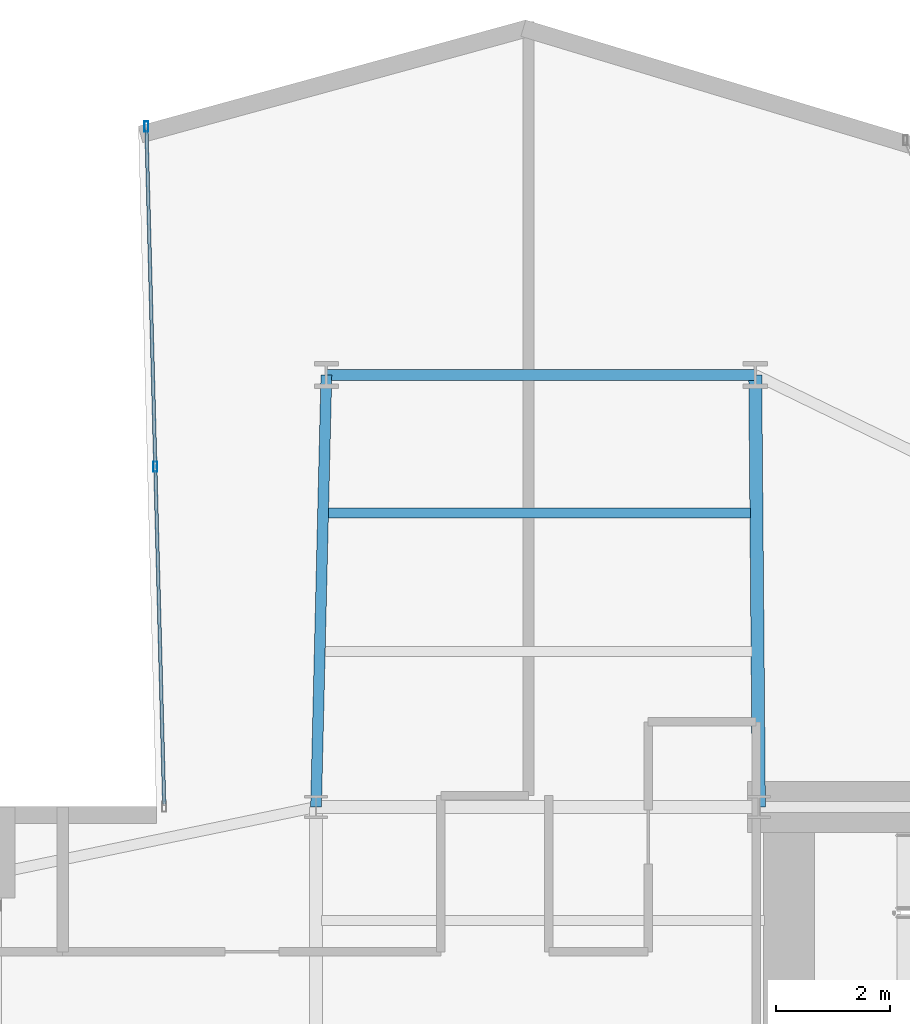
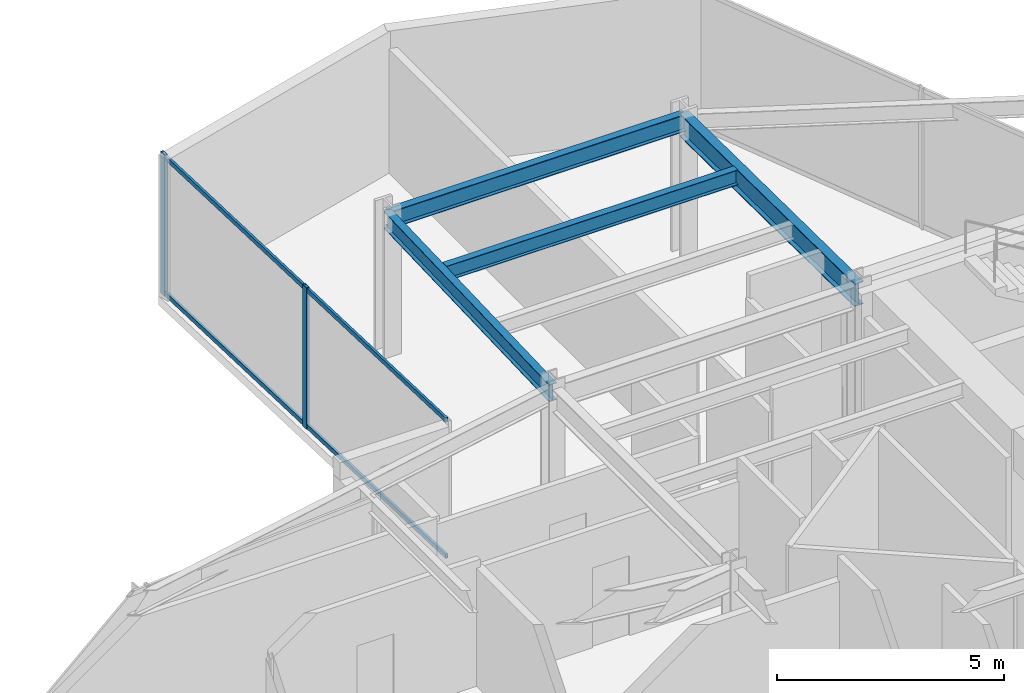
# One storey, part 20 of 30: 4 beams, 4 members, 1 element without a shape of its own.
"""IFC4 building model written with IfcOpenShell, lengths in metres."""

from ifc_helpers import new_model, si_unit, direction, frame, origin, origin_2d, place, context, subcontext, project, spatial, hollow_rectangle, i_section, extrude, material, layer, layer_set, material_profile, profile_set, type_object, element, aggregate, save


model = new_model("IFC4")

# Units and contexts
model_context = context("Model", 3, precision=1e-05, world=origin(), true_north=direction((0.0, 1.0)))
body_context = subcontext(model_context, "Body", "Model", "MODEL_VIEW")
ifc_project = project(units=[si_unit("LENGTHUNIT", "METRE"), si_unit("AREAUNIT", "SQUARE_METRE"), si_unit("VOLUMEUNIT", "CUBIC_METRE"), si_unit("PLANEANGLEUNIT", "RADIAN"), si_unit("MASSUNIT", "GRAM", prefix="KILO")], contexts=[model_context])

# Site, building, storey
site_placement = place(None, origin())
site = spatial("IfcSite", under=ifc_project, at=site_placement, CompositionType="ELEMENT")
building_placement = place(site_placement, origin())
building = spatial("IfcBuilding", under=site, at=building_placement, Name="Veymaron Broadcast Tower", CompositionType="ELEMENT")
storey_placement = place(building_placement, frame((0.0, 0.0, 66.14990234375)))
storey = spatial("IfcBuildingStorey", under=building, at=storey_placement, Name="L14", CompositionType="ELEMENT", Elevation=66.14990234375)

# Beams
ifc_material_1 = material(Name="Structural steel ASTM A992 Gr 50", Category="steel")
ifc_material_profile_1 = material_profile(ifc_material_1, i_section(OverallWidth=0.22998046875, OverallDepth=0.616943359375, WebThickness=0.01318359375, FlangeThickness=0.022216796875, at=origin_2d()), Name="W610X140")
ifc_profile_set_1 = profile_set([ifc_material_profile_1], Name="Structural steel ASTM A992 Gr 50")
beam_type_1 = type_object("IfcBeamType", Name="BM-FG1", PredefinedType="BEAM", material=ifc_profile_set_1)
beam_1_placement = place(storey_placement, frame((39.0, 32.0, 3.501708984375), z_axis=(-0.008533262174, 0.999963591056, 0.0), x_axis=(-0.999963591056, -0.008533262174, 0.0)))
element("IfcBeam", 1, at=beam_1_placement, inside=storey, type_object=beam_type_1, Name="L14 primary structural floor girder", PredefinedType="BEAM", context=body_context, shape_type="SweptSolid", body=[
    extrude(i_section(OverallWidth=0.22998046875, OverallDepth=0.616943359375, WebThickness=0.01318359375, FlangeThickness=0.022216796875, at=origin_2d()), origin(), (0.0, 0.0, 1.0), 7.6103515625),
])
ifc_material_profile_2 = material_profile(ifc_material_1, i_section(OverallWidth=0.177978515625, OverallDepth=0.406982421875, WebThickness=0.0078125, FlangeThickness=0.0126953125, at=origin_2d()), Name="W410X60")
ifc_profile_set_2 = profile_set([ifc_material_profile_2], Name="Structural steel ASTM A992 Gr 50")
beam_type_2 = type_object("IfcBeamType", Name="BM-JS1", PredefinedType="JOIST", material=ifc_profile_set_2)
beam_2_placement = place(storey_placement, frame((31.423828125, 37.1748046875, 3.606689453125), z_axis=(1.0, 0.0, 0.0), x_axis=(0.0, 1.0, 0.0)))
element("IfcBeam", 2, at=beam_2_placement, inside=storey, type_object=beam_type_2, Name="L14 Arm-B secondary joist 2", PredefinedType="JOIST", context=body_context, shape_type="SweptSolid", body=[
    extrude(i_section(OverallWidth=0.177978515625, OverallDepth=0.406982421875, WebThickness=0.0078125, FlangeThickness=0.0126953125, at=origin_2d()), origin(), (0.0, 0.0, 1.0), 7.431884765625),
])
ifc_material_profile_3 = material_profile(ifc_material_1, i_section(OverallWidth=0.19091796875, OverallDepth=0.4599609375, WebThickness=0.010009765625, FlangeThickness=0.01611328125, at=origin_2d()), Name="W460X82")
ifc_profile_set_3 = profile_set([ifc_material_profile_3], Name="Structural steel ASTM A992 Gr 50")
beam_type_3 = type_object("IfcBeamType", Name="BM-SP1", PredefinedType="SPANDREL", material=ifc_profile_set_3)
beam_3_placement = place(storey_placement, frame((31.199951171875, 32.0, 3.580078125), z_axis=(0.023925650461, 0.999713740653, 0.0), x_axis=(-0.999713740653, 0.023925650461, 0.0)))
element("IfcBeam", 3, at=beam_3_placement, inside=storey, type_object=beam_type_3, Name="L14 primary structural floor girder", PredefinedType="SPANDREL", context=body_context, shape_type="SweptSolid", body=[
    extrude(i_section(OverallWidth=0.19091796875, OverallDepth=0.4599609375, WebThickness=0.010009765625, FlangeThickness=0.01611328125, at=origin_2d()), origin(), (0.0, 0.0, 1.0), 7.6123046875),
])
beam_4_placement = place(storey_placement, frame((31.382080078125, 39.610107421875, 3.580078125), z_axis=(1.0, 0.0, 0.0), x_axis=(0.0, 1.0, 0.0)))
element("IfcBeam", 4, at=beam_4_placement, inside=storey, type_object=beam_type_3, Name="L14 primary structural floor girder", PredefinedType="SPANDREL", context=body_context, shape_type="SweptSolid", body=[
    extrude(i_section(OverallWidth=0.19091796875, OverallDepth=0.4599609375, WebThickness=0.010009765625, FlangeThickness=0.01611328125, at=origin_2d()), origin(), (0.0, 0.0, 1.0), 7.552978515625),
])

# Curtain wall, members
ifc_material_2 = material(Name="Anodised aluminium AA 6063-T6 and laminated low-E dark glass", Category="aluminium")
ifc_layer = layer(ifc_material_2, 0.179931640625)
ifc_layer_set = layer_set([ifc_layer], Name="Anodised aluminium AA 6063-T6 and laminated low-E dark glass")
curtain_wall_type = type_object("IfcCurtainWallType", Name="CW-SYS-02", PredefinedType="NOTDEFINED", material=ifc_layer_set)
curtain_wall_placement = place(storey_placement, origin())
curtain_wall = element("IfcCurtainWall", 5, at=curtain_wall_placement, inside=storey, type_object=curtain_wall_type, Name="L14 dark-glass curtain wall CW-L14-E8-1", PredefinedType="NOTDEFINED")
ifc_material_3 = material(Name="Anodised aluminium AA 6063-T6", Category="aluminium")
ifc_material_profile_4 = material_profile(ifc_material_3, hollow_rectangle(XDim=0.074951171875, YDim=0.179931640625, WallThickness=0.0048828125, at=origin_2d()), Name="AL180X75X5")
ifc_profile_set_4 = profile_set([ifc_material_profile_4], Name="Anodised aluminium AA 6063-T6")
member_type_1 = type_object("IfcMemberType", Name="CW-MUL-02", PredefinedType="MULLION", material=ifc_profile_set_4)
member_1_placement = place(storey_placement, frame((28.2119140625, 43.984619140625, 0.0), z_axis=(0.0, 0.0, 1.0), x_axis=(1.0, 0.0, 0.0)))
member_1 = element("IfcMember", 6, at=member_1_placement, type_object=member_type_1, Name="CW-L14-E8-1 mullion 0", PredefinedType="MULLION", context=body_context, shape_type="SweptSolid", body=[
    extrude(hollow_rectangle(XDim=0.074951171875, YDim=0.179931640625, WallThickness=0.0048828125, at=origin_2d()), origin(), (0.0, 0.0, 1.0), 3.81005859375),
])
member_2_placement = place(storey_placement, frame((28.369384765625, 37.994140625, 0.0), z_axis=(0.0, 0.0, 1.0), x_axis=(1.0, 0.0, 0.0)))
member_2 = element("IfcMember", 7, at=member_2_placement, type_object=member_type_1, Name="CW-L14-E8-1 mullion 1", PredefinedType="MULLION", context=body_context, shape_type="SweptSolid", body=[
    extrude(hollow_rectangle(XDim=0.074951171875, YDim=0.179931640625, WallThickness=0.0048828125, at=origin_2d()), origin(), (0.0, 0.0, 1.0), 3.81005859375),
])
ifc_material_profile_5 = material_profile(ifc_material_3, hollow_rectangle(XDim=0.06005859375, YDim=0.1201171875, WallThickness=0.00390625, at=origin_2d()), Name="AL120X60X4")
ifc_profile_set_5 = profile_set([ifc_material_profile_5], Name="Anodised aluminium AA 6063-T6")
member_type_2 = type_object("IfcMemberType", Name="CW-TRN-02", PredefinedType="USERDEFINED", material=ifc_profile_set_5)
member_3_placement = place(storey_placement, frame((28.213134765625, 43.934814453125, 0.070068359375), z_axis=(0.026293177264, -0.999654274652, 0.0), x_axis=(0.999654274652, 0.026293177264, 0.0)))
member_3 = element("IfcMember", 8, at=member_3_placement, type_object=member_type_2, Name="CW-L14-E8-1 transom B", ObjectType="TRANSOM", PredefinedType="USERDEFINED", context=body_context, shape_type="SweptSolid", body=[
    extrude(hollow_rectangle(XDim=0.06005859375, YDim=0.1201171875, WallThickness=0.00390625, at=origin_2d()), origin(), (0.0, 0.0, 1.0), 11.88525390625),
])
member_4_placement = place(storey_placement, frame((28.213134765625, 43.934814453125, 3.739990234375), z_axis=(0.026293177264, -0.999654274652, 0.0), x_axis=(0.999654274652, 0.026293177264, 0.0)))
member_4 = element("IfcMember", 9, at=member_4_placement, type_object=member_type_2, Name="CW-L14-E8-1 transom T", ObjectType="TRANSOM", PredefinedType="USERDEFINED", context=body_context, shape_type="SweptSolid", body=[
    extrude(hollow_rectangle(XDim=0.06005859375, YDim=0.1201171875, WallThickness=0.00390625, at=origin_2d()), origin(), (0.0, 0.0, 1.0), 11.88525390625),
])
aggregate(curtain_wall, [member_1, member_2, member_3, member_4])

save(model, "model.ifc")
